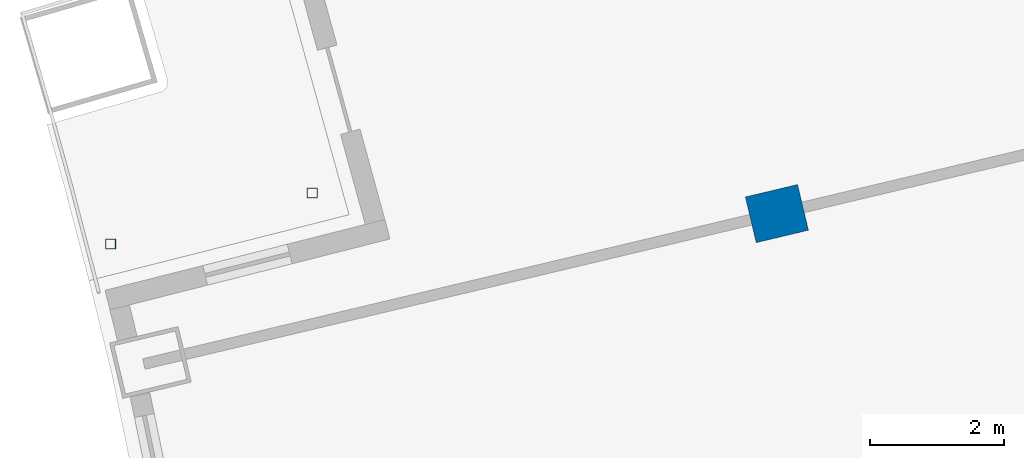
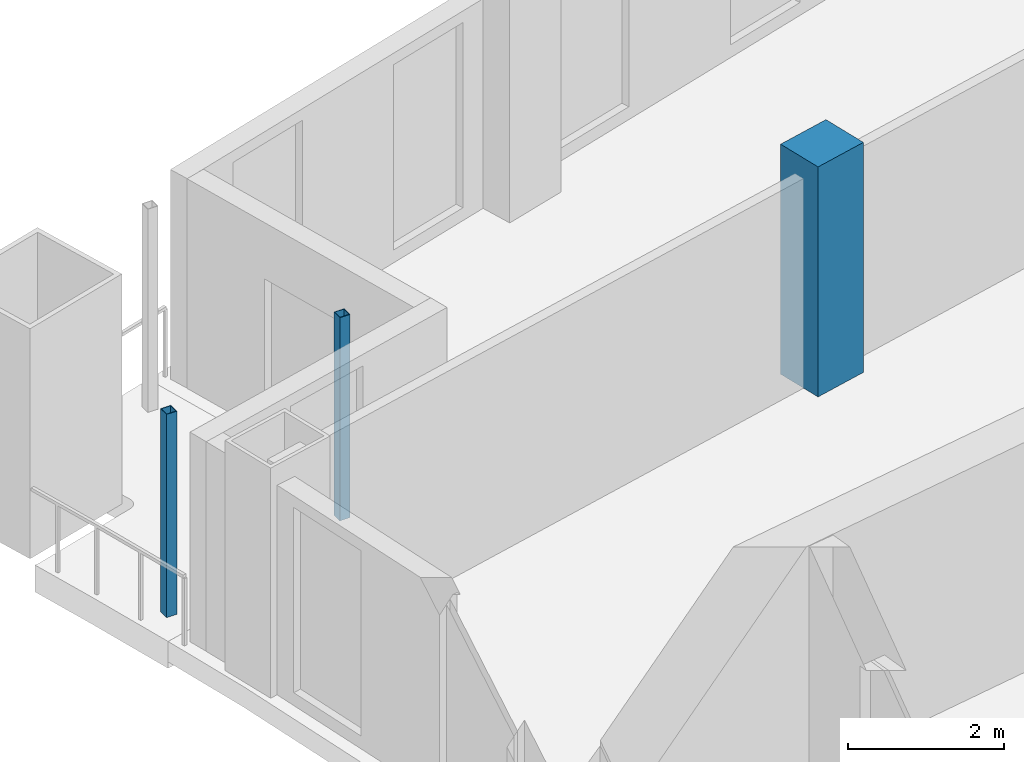
# One storey, part 5 of 19: 3 columns.
"""IFC4 building model written with IfcOpenShell, lengths in metres."""

from ifc_helpers import new_model, si_unit, direction, frame, origin, origin_2d, place, context, subcontext, project, spatial, rectangle, hollow_rectangle, extrude, material, material_profile, profile_set, type_object, element, save


model = new_model("IFC4")

# Units and contexts
model_context = context("Model", 3, precision=1e-05, world=origin(), true_north=direction((0.0, 1.0)))
body_context = subcontext(model_context, "Body", "Model", "MODEL_VIEW")
ifc_project = project(units=[si_unit("LENGTHUNIT", "METRE"), si_unit("AREAUNIT", "SQUARE_METRE"), si_unit("VOLUMEUNIT", "CUBIC_METRE"), si_unit("PLANEANGLEUNIT", "RADIAN"), si_unit("MASSUNIT", "GRAM", prefix="KILO")], contexts=[model_context])

# Site, building, storey
site_placement = place(None, origin())
site = spatial("IfcSite", under=ifc_project, at=site_placement, CompositionType="ELEMENT")
building_placement = place(site_placement, origin())
building = spatial("IfcBuilding", under=site, at=building_placement, Name="Alderwake Tower", CompositionType="ELEMENT")
storey_placement = place(building_placement, frame((0.0, 0.0, 192.800048828125)))
storey = spatial("IfcBuildingStorey", under=building, at=storey_placement, Name="L47", CompositionType="ELEMENT", Elevation=192.800048828125)

# Columns
ifc_material_1 = material(Name="Concrete C70/85", Category="concrete")
ifc_material_profile_1 = material_profile(ifc_material_1, rectangle(XDim=0.699951171875, YDim=0.800048828125, at=origin_2d()), Name="RC 800X700")
ifc_profile_set_1 = profile_set([ifc_material_profile_1], Name="Concrete C70/85")
column_type_1 = type_object("IfcColumnType", Name="Interior column Z4", PredefinedType="COLUMN", material=ifc_profile_set_1)
column_placement = place(storey_placement, frame((23.322021484375, 85.555908203125, 0.0), z_axis=(0.0, 0.0, 1.0), x_axis=(-0.231221547198, 0.972901123502, 0.0)))
element("IfcColumn", 1, at=column_placement, inside=storey, type_object=column_type_1, Name="Column R11-C1", PredefinedType="COLUMN", context=body_context, shape_type="SweptSolid", body=[
    extrude(rectangle(XDim=0.699951171875, YDim=0.800048828125, at=origin_2d()), origin(), (0.0, 0.0, 1.0), 3.599853515625),
])
ifc_material_2 = material(Name="Steel ASTM A500 Grade C", Category="steel")
ifc_material_profile_2 = material_profile(ifc_material_2, hollow_rectangle(XDim=0.15234375, YDim=0.15234375, WallThickness=0.0087890625, at=origin_2d()), Name="HSS6X6X3/8")
ifc_profile_set_2 = profile_set([ifc_material_profile_2], Name="Steel ASTM A500 Grade C")
column_type_2 = type_object("IfcColumnType", Name="Light post HSS6X6X3/8", PredefinedType="COLUMN", material=ifc_profile_set_2)
for number, where, z_axis, x_axis, name in (
    (2, (13.3896484375, 85.103515625, 0.0), (0.0, 0.0, 1.0), (1.0, 0.0, 0.0), "Terrace post RN1"),
    (3, (16.39501953125, 85.864013671875, 0.0), (0.0, 0.0, 1.0), (1.0, 0.0, 0.0), "Terrace post RN3"),
):
    element("IfcColumn", number, at=place(storey_placement, frame(where, z_axis=z_axis, x_axis=x_axis)), inside=storey, type_object=column_type_2, Name=name, PredefinedType="COLUMN", context=body_context, shape_type="SweptSolid", body=[
        extrude(hollow_rectangle(XDim=0.15234375, YDim=0.15234375, WallThickness=0.0087890625, at=origin_2d()), origin(), (0.0, 0.0, 1.0), 3.179931640625),
    ])

save(model, "model.ifc")
